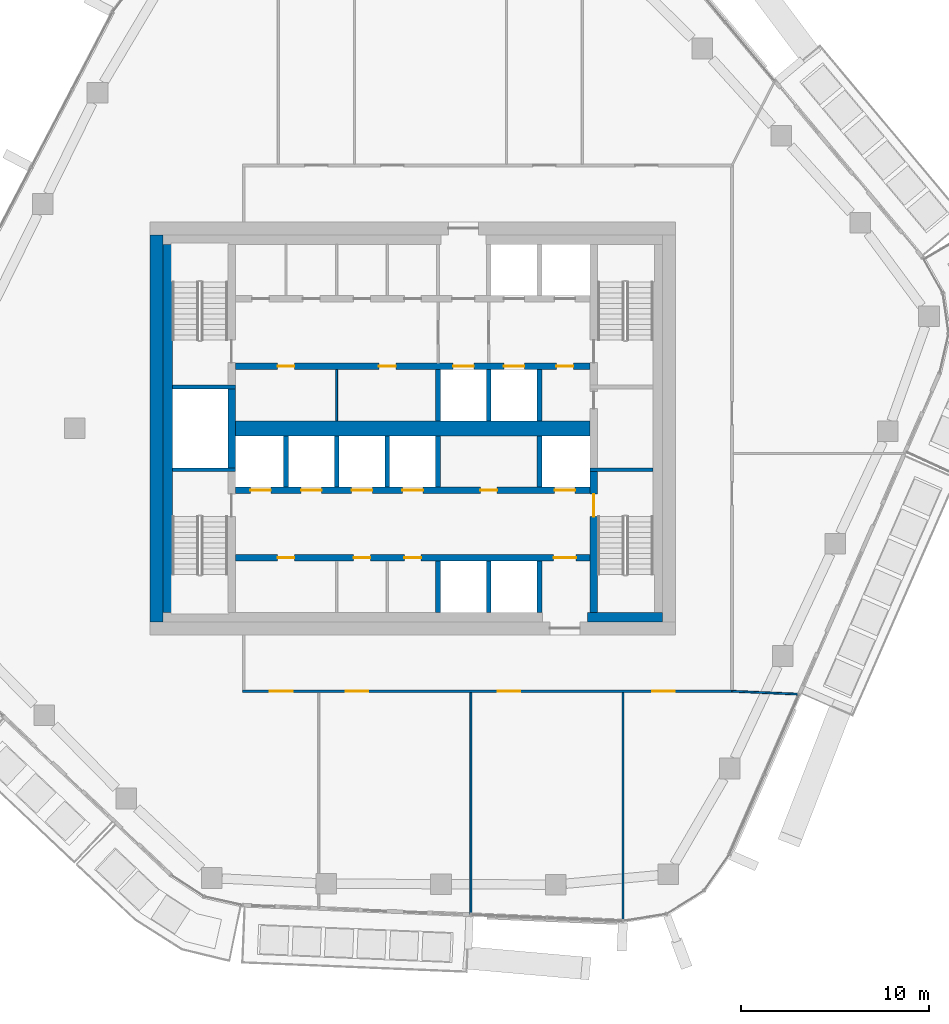
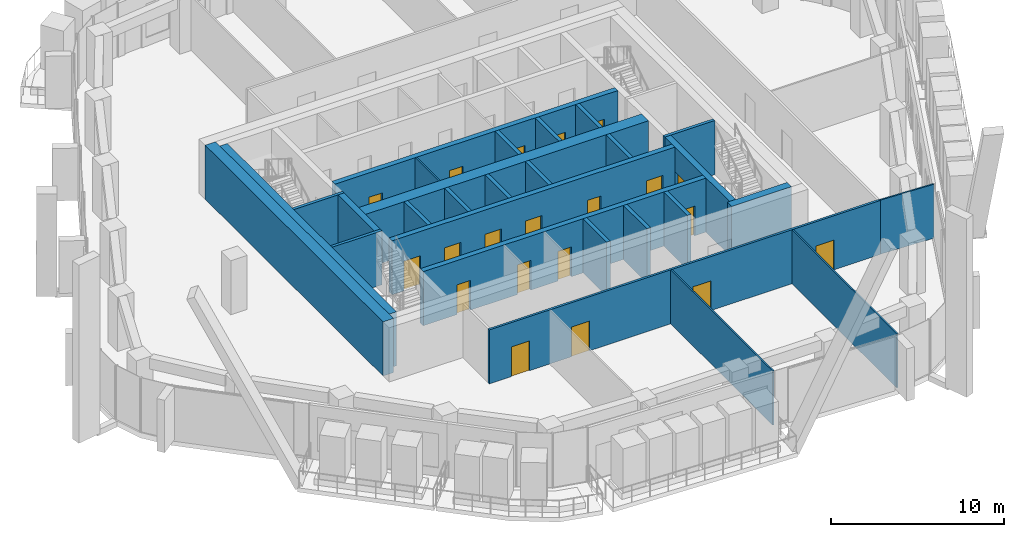
# One storey, part 11 of 20: 28 walls, 20 doors, 20 openings.
"""IFC4 building model written with IfcOpenShell, lengths in metres."""

import ifcopenshell
import ifcopenshell.guid

model = None  # the IFC model being written
_history = None  # IfcOwnerHistory: only IFC2X3 demands one
_inside = {}  # id of a spatial element -> (the spatial element, [elements in it])
_under = {}  # id of a project, library or spatial element -> (it, [spatial elements below it])
_declared = {}  # id of a project -> (the project, [libraries it declares])
_typed = {}  # id of a type object -> (the type object, [elements of that type])
_made_of = {}  # id of a material, layer set ... -> (it, [elements and type objects made of it])


def new_model(schema):
    """Start an empty IFC model of exactly this schema.

    Asked for "IFC4X3", IfcOpenShell would pick the latest addendum, in which some entities
    have other attributes; the version numbers below select the first issue.
    IFC2X3 requires an IfcOwnerHistory on every rooted entity: one is made here for all.
    """
    global model, _history
    if schema == "IFC4X3":
        model = ifcopenshell.file(schema_version=(4, 3, 0, 0))
    else:
        model = ifcopenshell.file(schema=schema)
    _inside.clear()
    _under.clear()
    _declared.clear()
    _typed.clear()
    _made_of.clear()
    _history = None
    if model.schema == "IFC2X3":
        org = make("IfcOrganization", Name="unknown")
        user = make(
            "IfcPersonAndOrganization",
            ThePerson=make("IfcPerson", FamilyName="unknown"),
            TheOrganization=org,
        )
        app = make(
            "IfcApplication",
            ApplicationDeveloper=org,
            Version="unknown",
            ApplicationFullName="unknown",
            ApplicationIdentifier="unknown",
        )
        _history = make(
            "IfcOwnerHistory",
            OwningUser=user,
            OwningApplication=app,
            ChangeAction="ADDED",
            CreationDate=0,
        )
    return model


def make(cls, **values):
    """One entity of the class cls with the attributes given. An attribute that is None is left unset."""
    return model.create_entity(
        cls, **{name: value for name, value in values.items() if value is not None}
    )


def rooted(cls, **values):
    """An entity with a GlobalId (a new one), such as an element, a storey or a relation."""
    return make(cls, GlobalId=ifcopenshell.guid.new(), OwnerHistory=_history, **values)


def si_unit(unit_type, name, prefix=None):
    """IfcSIUnit, for example si_unit("LENGTHUNIT", "METRE", prefix="MILLI")."""
    return make("IfcSIUnit", UnitType=unit_type, Prefix=prefix, Name=name)


def assignment(units):
    """IfcUnitAssignment: the units of a project."""
    return None if units is None else make("IfcUnitAssignment", Units=units)


def point(xyz):
    """IfcCartesianPoint."""
    return None if xyz is None else make("IfcCartesianPoint", Coordinates=xyz)


def direction(xyz):
    """IfcDirection."""
    return None if xyz is None else make("IfcDirection", DirectionRatios=xyz)


def frame(location, z_axis=None, x_axis=None):
    """IfcAxis2Placement3D, a coordinate frame: its origin and axes. An axis left out is left unset."""
    return make(
        "IfcAxis2Placement3D",
        Location=point(location),
        Axis=direction(z_axis),
        RefDirection=direction(x_axis),
    )


def frame_2d(location, x_axis=None):
    """IfcAxis2Placement2D, a coordinate frame in the plane: its origin and x axis."""
    return make(
        "IfcAxis2Placement2D", Location=point(location), RefDirection=direction(x_axis)
    )


def origin():
    """The frame at (0, 0, 0) with its axes left unset."""
    return frame((0.0, 0.0, 0.0))


def place(relative_to, where):
    """IfcLocalPlacement: puts the frame where relative to a parent placement (None: the world)."""
    return make(
        "IfcLocalPlacement", PlacementRelTo=relative_to, RelativePlacement=where
    )


def context(
    kind, dimensions, precision=None, world=None, true_north=None, identifier=None
):
    """IfcGeometricRepresentationContext, for example the 3D "Model" context."""
    return make(
        "IfcGeometricRepresentationContext",
        ContextIdentifier=identifier,
        ContextType=kind,
        CoordinateSpaceDimension=dimensions,
        Precision=precision,
        WorldCoordinateSystem=world,
        TrueNorth=true_north,
    )


def subcontext(parent, identifier, kind, view, scale=None):
    """IfcGeometricRepresentationSubContext, for example "Body" below "Model"."""
    return make(
        "IfcGeometricRepresentationSubContext",
        ContextIdentifier=identifier,
        ContextType=kind,
        ParentContext=parent,
        TargetScale=scale,
        TargetView=view,
    )


def project(units=None, contexts=None):
    """IfcProject with its units and contexts."""
    return rooted(
        "IfcProject",
        Name="project",
        RepresentationContexts=contexts,
        UnitsInContext=assignment(units),
    )


def spatial(cls, under=None, at=None, **own):
    """A site, building, storey or space (cls), placed at a placement, below another one or the project."""
    s = rooted(cls, ObjectPlacement=at, **own)
    if under is not None:
        _under.setdefault(under.id(), (under, []))[1].append(s)
    return s


def profile(cls, at=None, kind="AREA", **sizes):
    """A parametric profile (cls). Its sizes go by their IFC names, for example OverallWidth=200.0."""
    return make(cls, ProfileType=kind, Position=at, **sizes)


def rectangle(**sizes):
    """IfcRectangleProfileDef."""
    return profile("IfcRectangleProfileDef", **sizes)


def extrude(swept, where, along, depth):
    """IfcExtrudedAreaSolid: the profile swept, set in the frame where, extruded along a direction by depth."""
    return make(
        "IfcExtrudedAreaSolid",
        SweptArea=swept,
        Position=where,
        ExtrudedDirection=direction(along),
        Depth=depth,
    )


def shape(context_of_items, identifier, shape_type, items):
    """IfcShapeRepresentation: the items that make up one representation, for example the "Body"."""
    return make(
        "IfcShapeRepresentation",
        ContextOfItems=context_of_items,
        RepresentationIdentifier=identifier,
        RepresentationType=shape_type,
        Items=items,
    )


def material(Name=None, Category=None):
    """IfcMaterial."""
    return make("IfcMaterial", Name=Name, Category=Category)


def layer(
    of_material, thickness, ventilated=None, Name=None, Category=None, Priority=None
):
    """IfcMaterialLayer: one layer of a wall or slab, of a material (None: an air gap)."""
    return make(
        "IfcMaterialLayer",
        Material=of_material,
        LayerThickness=thickness,
        IsVentilated=ventilated,
        Name=Name,
        Category=Category,
        Priority=Priority,
    )


def layer_set(layers, Name=None):
    """IfcMaterialLayerSet."""
    return make("IfcMaterialLayerSet", MaterialLayers=layers, LayerSetName=Name)


def made_of(thing, what):
    """Note that an element or type object is made of a material, layer set ...; save() writes the relation."""
    if what is not None:
        _made_of.setdefault(what.id(), (what, []))[1].append(thing)
    return thing


def type_object(cls, material=None, **own):
    """A type object (cls), such as IfcWallType, which elements share."""
    return made_of(rooted(cls, **own), material)


def element(
    cls,
    number,
    at=None,
    inside=None,
    cuts=None,
    type_object=None,
    material=None,
    context=None,
    identifier="Body",
    shape_type=None,
    held_by="IfcProductDefinitionShape",
    body=None,
    shapes=None,
    **own,
):
    """One element of the class cls, such as IfcWall. Its Tag is "e" and its number.

    at: its placement. inside: the storey or other place that contains it. cuts: it is an
    opening in that element (IfcRelVoidsElement). A single representation is given by context,
    identifier, shape_type and body (its items); several are given by shapes. held_by: the class
    of the entity that holds the representations. save() writes the other relations.
    """
    e = rooted(cls, Tag="e%d" % number, ObjectPlacement=at, **own)
    if body is not None:
        shapes = [shape(context, identifier, shape_type, body)]
    if shapes is not None:
        e.Representation = make(held_by, Representations=shapes)
    if inside is not None:
        _inside.setdefault(inside.id(), (inside, []))[1].append(e)
    if cuts is not None:
        rooted(
            "IfcRelVoidsElement", RelatingBuildingElement=cuts, RelatedOpeningElement=e
        )
    if type_object is not None:
        _typed.setdefault(type_object.id(), (type_object, []))[1].append(e)
    return made_of(e, material)


def fill(opening, filler):
    """IfcRelFillsElement: the door or window that sits in an opening."""
    return rooted(
        "IfcRelFillsElement",
        RelatingOpeningElement=opening,
        RelatedBuildingElement=filler,
    )


def aggregate(whole, parts):
    """IfcRelAggregates: a whole, such as a stair, and the parts it consists of."""
    return rooted("IfcRelAggregates", RelatingObject=whole, RelatedObjects=parts)


def save(model, path):
    """Write the relations noted so far, then the file.

    IfcRelAggregates (storeys below a building ...), IfcRelContainedInSpatialStructure (elements
    in a storey), IfcRelDefinesByType, IfcRelAssociatesMaterial and IfcRelDeclares: one each for
    every whole, place, type object, material and project.
    """
    for whole, parts in _under.values():
        aggregate(whole, parts)
    for where, things in _inside.values():
        rooted(
            "IfcRelContainedInSpatialStructure",
            RelatedElements=things,
            RelatingStructure=where,
        )
    for kind, things in _typed.values():
        rooted("IfcRelDefinesByType", RelatedObjects=things, RelatingType=kind)
    for what, things in _made_of.values():
        rooted("IfcRelAssociatesMaterial", RelatedObjects=things, RelatingMaterial=what)
    for by, libraries in _declared.values():
        rooted("IfcRelDeclares", RelatingContext=by, RelatedDefinitions=libraries)
    model.write(path)


model = new_model("IFC4")

# Units and contexts
model_context = context("Model", 3, precision=1e-05, world=origin(), true_north=direction((0.0, 1.0)))
body_context = subcontext(model_context, "Body", "Model", "MODEL_VIEW")
ifc_project = project(units=[si_unit("LENGTHUNIT", "METRE"), si_unit("AREAUNIT", "SQUARE_METRE"), si_unit("VOLUMEUNIT", "CUBIC_METRE"), si_unit("PLANEANGLEUNIT", "RADIAN"), si_unit("MASSUNIT", "GRAM", prefix="KILO")], contexts=[model_context])

# Site, building, storey
site_placement = place(None, origin())
site = spatial("IfcSite", under=ifc_project, at=site_placement, CompositionType="ELEMENT")
building_placement = place(site_placement, origin())
building = spatial("IfcBuilding", under=site, at=building_placement, Name="Dongbaek Canopy Tower", CompositionType="ELEMENT")
storey_placement = place(building_placement, frame((0.0, 0.0, 241.199951171875)))
storey = spatial("IfcBuildingStorey", under=building, at=storey_placement, Name="L50", CompositionType="ELEMENT", Elevation=241.199951171875)

# Wall
ifc_material_1 = material(Name="Concrete C60/75", Category="concrete")
ifc_layer_1 = layer(ifc_material_1, 0.800048828125)
ifc_layer_set_1 = layer_set([ifc_layer_1], Name="Core central wall 800 Concrete C60/75")
wall_type_1 = type_object("IfcWallType", Name="Core central wall 800 Concrete C60/75", PredefinedType="SHEAR", material=ifc_layer_set_1)
wall_1_placement = place(storey_placement, frame((-9.449951171875, 0.0, 0.0), z_axis=(0.0, 0.0, 1.0), x_axis=(1.0, 0.0, 0.0)))
element("IfcWall", 1, at=wall_1_placement, inside=storey, type_object=wall_type_1, Name="Core wall", PredefinedType="SHEAR", context=body_context, shape_type="SweptSolid", body=[
    extrude(rectangle(XDim=18.89990234375, YDim=0.800048828125, at=frame_2d((9.449951171875, 0.0))), origin(), (0.0, 0.0, 1.0), 3.820068359375),
])

# Wall, openings, doors
ifc_material_2 = material(Name="Concrete C60/75", Category="concrete")
ifc_layer_2 = layer(ifc_material_2, 0.35009765625)
ifc_layer_set_2 = layer_set([ifc_layer_2], Name="Core lobby wall 350 Concrete C60/75")
wall_type_2 = type_object("IfcWallType", Name="Core lobby wall 350 Concrete C60/75", PredefinedType="SHEAR", material=ifc_layer_set_2)
wall_2_placement = place(storey_placement, frame((9.449951171875, 3.300048828125, 0.0), z_axis=(0.0, 0.0, 1.0), x_axis=(-1.0, 0.0, 0.0)))
wall_2 = element("IfcWall", 2, at=wall_2_placement, inside=storey, type_object=wall_type_2, Name="Core wall", PredefinedType="SHEAR", context=body_context, shape_type="SweptSolid", body=[
    extrude(rectangle(XDim=18.89990234375, YDim=0.35009765625, at=frame_2d((9.449951171875, 0.0))), origin(), (0.0, 0.0, 1.0), 3.820068359375),
])
opening_1_placement = place(wall_2_placement, frame((6.199951171875, 0.0, 0.0)))
opening_1 = element("IfcOpeningElement", 3, at=opening_1_placement, cuts=wall_2, Name="Opening L50-D016", PredefinedType="OPENING", context=body_context, shape_type="SweptSolid", body=[
    extrude(rectangle(XDim=1.10009765625, YDim=2.10009765625, at=frame_2d((0.550048828125, 1.050048828125))), frame((0.0, 0.18505859375, 0.0), z_axis=(0.0, -1.0, 0.0), x_axis=(1.0, 0.0, 0.0)), (0.0, 0.0, 1.0), 0.3701171875),
])
opening_2_placement = place(wall_2_placement, frame((3.5, 0.0, 0.0)))
opening_2 = element("IfcOpeningElement", 4, at=opening_2_placement, cuts=wall_2, Name="Opening L50-D017", PredefinedType="OPENING", context=body_context, shape_type="SweptSolid", body=[
    extrude(rectangle(XDim=1.10009765625, YDim=2.10009765625, at=frame_2d((0.550048828125, 1.050048828125))), frame((0.0, 0.18505859375, 0.0), z_axis=(0.0, -1.0, 0.0), x_axis=(1.0, 0.0, 0.0)), (0.0, 0.0, 1.0), 0.3701171875),
])
opening_3_placement = place(wall_2_placement, frame((0.89990234375, 0.0, 0.0)))
opening_3 = element("IfcOpeningElement", 5, at=opening_3_placement, cuts=wall_2, Name="Opening L50-D018", PredefinedType="OPENING", context=body_context, shape_type="SweptSolid", body=[
    extrude(rectangle(XDim=0.89990234375, YDim=2.10009765625, at=frame_2d((0.449951171875, 1.050048828125))), frame((0.0, 0.18505859375, 0.0), z_axis=(0.0, -1.0, 0.0), x_axis=(1.0, 0.0, 0.0)), (0.0, 0.0, 1.0), 0.3701171875),
])
opening_4_placement = place(wall_2_placement, frame((15.75, 0.0, 0.0)))
opening_4 = element("IfcOpeningElement", 6, at=opening_4_placement, cuts=wall_2, Name="Opening L50-D030", PredefinedType="OPENING", context=body_context, shape_type="SweptSolid", body=[
    extrude(rectangle(XDim=0.89990234375, YDim=2.10009765625, at=frame_2d((0.449951171875, 1.050048828125))), frame((0.0, 0.18505859375, 0.0), z_axis=(0.0, -1.0, 0.0), x_axis=(1.0, 0.0, 0.0)), (0.0, 0.0, 1.0), 0.3701171875),
])
opening_5_placement = place(wall_2_placement, frame((10.35009765625, 0.0, 0.0)))
opening_5 = element("IfcOpeningElement", 7, at=opening_5_placement, cuts=wall_2, Name="Opening L50-D031", PredefinedType="OPENING", context=body_context, shape_type="SweptSolid", body=[
    extrude(rectangle(XDim=0.89990234375, YDim=2.10009765625, at=frame_2d((0.449951171875, 1.050048828125))), frame((0.0, 0.18505859375, 0.0), z_axis=(0.0, -1.0, 0.0), x_axis=(1.0, 0.0, 0.0)), (0.0, 0.0, 1.0), 0.3701171875),
])
ifc_material_3 = material(Name="Steel", Category="steel")
door_type_1 = type_object("IfcDoorType", Name="Core room door 900 x 2100", OperationType="SINGLE_SWING_LEFT", PredefinedType="DOOR", material=ifc_material_3)
door_1_placement = place(opening_3_placement, origin())
door_1 = element("IfcDoor", 8, at=door_1_placement, inside=storey, type_object=door_type_1, Name="Door L50-D018", OperationType="SINGLE_SWING_LEFT", OverallHeight=2.10009765625, OverallWidth=0.89990234375, PredefinedType="DOOR", context=body_context, shape_type="SweptSolid", body=[
    extrude(rectangle(XDim=0.89990234375, YDim=2.10009765625, at=frame_2d((0.449951171875, 1.050048828125))), frame((0.0, 0.02490234375, 0.0), z_axis=(0.0, -1.0, 0.0), x_axis=(1.0, 0.0, 0.0)), (0.0, 0.0, 1.0), 0.050048828125),
])
fill(opening_3, door_1)
door_2_placement = place(opening_4_placement, origin())
door_2 = element("IfcDoor", 9, at=door_2_placement, inside=storey, type_object=door_type_1, Name="Door L50-D030", OperationType="SINGLE_SWING_RIGHT", OverallHeight=2.10009765625, OverallWidth=0.89990234375, PredefinedType="DOOR", context=body_context, shape_type="SweptSolid", body=[
    extrude(rectangle(XDim=0.89990234375, YDim=2.10009765625, at=frame_2d((0.449951171875, 1.050048828125))), frame((0.0, 0.02490234375, 0.0), z_axis=(0.0, -1.0, 0.0), x_axis=(1.0, 0.0, 0.0)), (0.0, 0.0, 1.0), 0.050048828125),
])
fill(opening_4, door_2)
door_3_placement = place(opening_5_placement, origin())
door_3 = element("IfcDoor", 10, at=door_3_placement, inside=storey, type_object=door_type_1, Name="Door L50-D031", OperationType="SINGLE_SWING_LEFT", OverallHeight=2.10009765625, OverallWidth=0.89990234375, PredefinedType="DOOR", context=body_context, shape_type="SweptSolid", body=[
    extrude(rectangle(XDim=0.89990234375, YDim=2.10009765625, at=frame_2d((0.449951171875, 1.050048828125))), frame((0.0, 0.02490234375, 0.0), z_axis=(0.0, -1.0, 0.0), x_axis=(1.0, 0.0, 0.0)), (0.0, 0.0, 1.0), 0.050048828125),
])
fill(opening_5, door_3)
ifc_material_4 = material(Name="Stainless steel", Category="steel")
door_type_2 = type_object("IfcDoorType", Name="Lift landing door 1100 x 2100", OperationType="DOUBLE_DOOR_SLIDING", PredefinedType="DOOR", material=ifc_material_4)
door_4_placement = place(opening_1_placement, origin())
door_4 = element("IfcDoor", 11, at=door_4_placement, inside=storey, type_object=door_type_2, Name="Landing door SV1", OperationType="DOUBLE_DOOR_SLIDING", OverallHeight=2.10009765625, OverallWidth=1.10009765625, PredefinedType="DOOR", context=body_context, shape_type="SweptSolid", body=[
    extrude(rectangle(XDim=1.10009765625, YDim=2.10009765625, at=frame_2d((0.550048828125, 1.050048828125))), frame((0.0, 0.02490234375, 0.0), z_axis=(0.0, -1.0, 0.0), x_axis=(1.0, 0.0, 0.0)), (0.0, 0.0, 1.0), 0.050048828125),
])
fill(opening_1, door_4)
door_5_placement = place(opening_2_placement, origin())
door_5 = element("IfcDoor", 12, at=door_5_placement, inside=storey, type_object=door_type_2, Name="Landing door FF3", OperationType="DOUBLE_DOOR_SLIDING", OverallHeight=2.10009765625, OverallWidth=1.10009765625, PredefinedType="DOOR", context=body_context, shape_type="SweptSolid", body=[
    extrude(rectangle(XDim=1.10009765625, YDim=2.10009765625, at=frame_2d((0.550048828125, 1.050048828125))), frame((0.0, 0.02490234375, 0.0), z_axis=(0.0, -1.0, 0.0), x_axis=(1.0, 0.0, 0.0)), (0.0, 0.0, 1.0), 0.050048828125),
])
fill(opening_2, door_5)

wall_3_placement = place(storey_placement, frame((-9.449951171875, -3.300048828125, 0.0), z_axis=(0.0, 0.0, 1.0), x_axis=(1.0, 0.0, 0.0)))
wall_3 = element("IfcWall", 13, at=wall_3_placement, inside=storey, type_object=wall_type_2, Name="Core wall", PredefinedType="SHEAR", context=body_context, shape_type="SweptSolid", body=[
    extrude(rectangle(XDim=18.89990234375, YDim=0.35009765625, at=frame_2d((9.449951171875, 0.0))), origin(), (0.0, 0.0, 1.0), 3.820068359375),
])
opening_6_placement = place(wall_3_placement, frame((0.800048828125, 0.0, 0.0)))
opening_6 = element("IfcOpeningElement", 14, at=opening_6_placement, cuts=wall_3, Name="Opening L50-D019", PredefinedType="OPENING", context=body_context, shape_type="SweptSolid", body=[
    extrude(rectangle(XDim=1.10009765625, YDim=2.10009765625, at=frame_2d((0.550048828125, 1.050048828125))), frame((0.0, 0.18505859375, 0.0), z_axis=(0.0, -1.0, 0.0), x_axis=(1.0, 0.0, 0.0)), (0.0, 0.0, 1.0), 0.3701171875),
])
opening_7_placement = place(wall_3_placement, frame((3.5, 0.0, 0.0)))
opening_7 = element("IfcOpeningElement", 15, at=opening_7_placement, cuts=wall_3, Name="Opening L50-D020", PredefinedType="OPENING", context=body_context, shape_type="SweptSolid", body=[
    extrude(rectangle(XDim=1.10009765625, YDim=2.10009765625, at=frame_2d((0.550048828125, 1.050048828125))), frame((0.0, 0.18505859375, 0.0), z_axis=(0.0, -1.0, 0.0), x_axis=(1.0, 0.0, 0.0)), (0.0, 0.0, 1.0), 0.3701171875),
])
opening_8_placement = place(wall_3_placement, frame((6.199951171875, 0.0, 0.0)))
opening_8 = element("IfcOpeningElement", 16, at=opening_8_placement, cuts=wall_3, Name="Opening L50-D021", PredefinedType="OPENING", context=body_context, shape_type="SweptSolid", body=[
    extrude(rectangle(XDim=1.10009765625, YDim=2.10009765625, at=frame_2d((0.550048828125, 1.050048828125))), frame((0.0, 0.18505859375, 0.0), z_axis=(0.0, -1.0, 0.0), x_axis=(1.0, 0.0, 0.0)), (0.0, 0.0, 1.0), 0.3701171875),
])
opening_9_placement = place(wall_3_placement, frame((8.89990234375, 0.0, 0.0)))
opening_9 = element("IfcOpeningElement", 17, at=opening_9_placement, cuts=wall_3, Name="Opening L50-D022", PredefinedType="OPENING", context=body_context, shape_type="SweptSolid", body=[
    extrude(rectangle(XDim=1.10009765625, YDim=2.10009765625, at=frame_2d((0.550048828125, 1.050048828125))), frame((0.0, 0.18505859375, 0.0), z_axis=(0.0, -1.0, 0.0), x_axis=(1.0, 0.0, 0.0)), (0.0, 0.0, 1.0), 0.3701171875),
])
opening_10_placement = place(wall_3_placement, frame((17.0, 0.0, 0.0)))
opening_10 = element("IfcOpeningElement", 18, at=opening_10_placement, cuts=wall_3, Name="Opening L50-D023", PredefinedType="OPENING", context=body_context, shape_type="SweptSolid", body=[
    extrude(rectangle(XDim=1.10009765625, YDim=2.10009765625, at=frame_2d((0.550048828125, 1.050048828125))), frame((0.0, 0.18505859375, 0.0), z_axis=(0.0, -1.0, 0.0), x_axis=(1.0, 0.0, 0.0)), (0.0, 0.0, 1.0), 0.3701171875),
])
opening_11_placement = place(wall_3_placement, frame((13.050048828125, 0.0, 0.0)))
opening_11 = element("IfcOpeningElement", 19, at=opening_11_placement, cuts=wall_3, Name="Opening L50-D032", PredefinedType="OPENING", context=body_context, shape_type="SweptSolid", body=[
    extrude(rectangle(XDim=0.89990234375, YDim=2.10009765625, at=frame_2d((0.449951171875, 1.050048828125))), frame((0.0, 0.18505859375, 0.0), z_axis=(0.0, -1.0, 0.0), x_axis=(1.0, 0.0, 0.0)), (0.0, 0.0, 1.0), 0.3701171875),
])
door_6_placement = place(opening_11_placement, origin())
door_6 = element("IfcDoor", 20, at=door_6_placement, inside=storey, type_object=door_type_1, Name="Door L50-D032", OperationType="SINGLE_SWING_RIGHT", OverallHeight=2.10009765625, OverallWidth=0.89990234375, PredefinedType="DOOR", context=body_context, shape_type="SweptSolid", body=[
    extrude(rectangle(XDim=0.89990234375, YDim=2.10009765625, at=frame_2d((0.449951171875, 1.050048828125))), frame((0.0, 0.02490234375, 0.0), z_axis=(0.0, -1.0, 0.0), x_axis=(1.0, 0.0, 0.0)), (0.0, 0.0, 1.0), 0.050048828125),
])
fill(opening_11, door_6)
door_7_placement = place(opening_6_placement, origin())
door_7 = element("IfcDoor", 21, at=door_7_placement, inside=storey, type_object=door_type_2, Name="Landing door MR1", OperationType="DOUBLE_DOOR_SLIDING", OverallHeight=2.10009765625, OverallWidth=1.10009765625, PredefinedType="DOOR", context=body_context, shape_type="SweptSolid", body=[
    extrude(rectangle(XDim=1.10009765625, YDim=2.10009765625, at=frame_2d((0.550048828125, 1.050048828125))), frame((0.0, 0.02490234375, 0.0), z_axis=(0.0, -1.0, 0.0), x_axis=(1.0, 0.0, 0.0)), (0.0, 0.0, 1.0), 0.050048828125),
])
fill(opening_6, door_7)
door_8_placement = place(opening_7_placement, origin())
door_8 = element("IfcDoor", 22, at=door_8_placement, inside=storey, type_object=door_type_2, Name="Landing door MR2", OperationType="DOUBLE_DOOR_SLIDING", OverallHeight=2.10009765625, OverallWidth=1.10009765625, PredefinedType="DOOR", context=body_context, shape_type="SweptSolid", body=[
    extrude(rectangle(XDim=1.10009765625, YDim=2.10009765625, at=frame_2d((0.550048828125, 1.050048828125))), frame((0.0, 0.02490234375, 0.0), z_axis=(0.0, -1.0, 0.0), x_axis=(1.0, 0.0, 0.0)), (0.0, 0.0, 1.0), 0.050048828125),
])
fill(opening_7, door_8)
door_9_placement = place(opening_8_placement, origin())
door_9 = element("IfcDoor", 23, at=door_9_placement, inside=storey, type_object=door_type_2, Name="Landing door MR3", OperationType="DOUBLE_DOOR_SLIDING", OverallHeight=2.10009765625, OverallWidth=1.10009765625, PredefinedType="DOOR", context=body_context, shape_type="SweptSolid", body=[
    extrude(rectangle(XDim=1.10009765625, YDim=2.10009765625, at=frame_2d((0.550048828125, 1.050048828125))), frame((0.0, 0.02490234375, 0.0), z_axis=(0.0, -1.0, 0.0), x_axis=(1.0, 0.0, 0.0)), (0.0, 0.0, 1.0), 0.050048828125),
])
fill(opening_8, door_9)
door_10_placement = place(opening_9_placement, origin())
door_10 = element("IfcDoor", 24, at=door_10_placement, inside=storey, type_object=door_type_2, Name="Landing door MR4", OperationType="DOUBLE_DOOR_SLIDING", OverallHeight=2.10009765625, OverallWidth=1.10009765625, PredefinedType="DOOR", context=body_context, shape_type="SweptSolid", body=[
    extrude(rectangle(XDim=1.10009765625, YDim=2.10009765625, at=frame_2d((0.550048828125, 1.050048828125))), frame((0.0, 0.02490234375, 0.0), z_axis=(0.0, -1.0, 0.0), x_axis=(1.0, 0.0, 0.0)), (0.0, 0.0, 1.0), 0.050048828125),
])
fill(opening_9, door_10)
door_11_placement = place(opening_10_placement, origin())
door_11 = element("IfcDoor", 25, at=door_11_placement, inside=storey, type_object=door_type_2, Name="Landing door SV2", OperationType="DOUBLE_DOOR_SLIDING", OverallHeight=2.10009765625, OverallWidth=1.10009765625, PredefinedType="DOOR", context=body_context, shape_type="SweptSolid", body=[
    extrude(rectangle(XDim=1.10009765625, YDim=2.10009765625, at=frame_2d((0.550048828125, 1.050048828125))), frame((0.0, 0.02490234375, 0.0), z_axis=(0.0, -1.0, 0.0), x_axis=(1.0, 0.0, 0.0)), (0.0, 0.0, 1.0), 0.050048828125),
])
fill(opening_10, door_11)

wall_4_placement = place(storey_placement, frame((9.449951171875, -6.89990234375, 0.0), z_axis=(0.0, 0.0, 1.0), x_axis=(-1.0, 0.0, 0.0)))
wall_4 = element("IfcWall", 26, at=wall_4_placement, inside=storey, type_object=wall_type_2, Name="Core wall", PredefinedType="SHEAR", context=body_context, shape_type="SweptSolid", body=[
    extrude(rectangle(XDim=18.89990234375, YDim=0.35009765625, at=frame_2d((9.449951171875, 0.0))), origin(), (0.0, 0.0, 1.0), 3.820068359375),
])
opening_12_placement = place(wall_4_placement, frame((0.75, 0.0, 0.0)))
opening_12 = element("IfcOpeningElement", 27, at=opening_12_placement, cuts=wall_4, Name="Opening L50-D025", PredefinedType="OPENING", context=body_context, shape_type="SweptSolid", body=[
    extrude(rectangle(XDim=1.199951171875, YDim=2.10009765625, at=frame_2d((0.60009765625, 1.050048828125))), frame((0.0, 0.18505859375, 0.0), z_axis=(0.0, -1.0, 0.0), x_axis=(1.0, 0.0, 0.0)), (0.0, 0.0, 1.0), 0.3701171875),
])
opening_13_placement = place(wall_4_placement, frame((15.75, 0.0, 0.0)))
opening_13 = element("IfcOpeningElement", 28, at=opening_13_placement, cuts=wall_4, Name="Opening L50-D033", PredefinedType="OPENING", context=body_context, shape_type="SweptSolid", body=[
    extrude(rectangle(XDim=0.89990234375, YDim=2.10009765625, at=frame_2d((0.449951171875, 1.050048828125))), frame((0.0, 0.18505859375, 0.0), z_axis=(0.0, -1.0, 0.0), x_axis=(1.0, 0.0, 0.0)), (0.0, 0.0, 1.0), 0.3701171875),
])
opening_14_placement = place(wall_4_placement, frame((11.699951171875, 0.0, 0.0)))
opening_14 = element("IfcOpeningElement", 29, at=opening_14_placement, cuts=wall_4, Name="Opening L50-D034", PredefinedType="OPENING", context=body_context, shape_type="SweptSolid", body=[
    extrude(rectangle(XDim=0.89990234375, YDim=2.10009765625, at=frame_2d((0.449951171875, 1.050048828125))), frame((0.0, 0.18505859375, 0.0), z_axis=(0.0, -1.0, 0.0), x_axis=(1.0, 0.0, 0.0)), (0.0, 0.0, 1.0), 0.3701171875),
])
opening_15_placement = place(wall_4_placement, frame((9.0, 0.0, 0.0)))
opening_15 = element("IfcOpeningElement", 30, at=opening_15_placement, cuts=wall_4, Name="Opening L50-D035", PredefinedType="OPENING", context=body_context, shape_type="SweptSolid", body=[
    extrude(rectangle(XDim=0.89990234375, YDim=2.10009765625, at=frame_2d((0.449951171875, 1.050048828125))), frame((0.0, 0.18505859375, 0.0), z_axis=(0.0, -1.0, 0.0), x_axis=(1.0, 0.0, 0.0)), (0.0, 0.0, 1.0), 0.3701171875),
])
door_12_placement = place(opening_13_placement, origin())
door_12 = element("IfcDoor", 31, at=door_12_placement, inside=storey, type_object=door_type_1, Name="Door L50-D033", OperationType="SINGLE_SWING_LEFT", OverallHeight=2.10009765625, OverallWidth=0.89990234375, PredefinedType="DOOR", context=body_context, shape_type="SweptSolid", body=[
    extrude(rectangle(XDim=0.89990234375, YDim=2.10009765625, at=frame_2d((0.449951171875, 1.050048828125))), frame((0.0, 0.02490234375, 0.0), z_axis=(0.0, -1.0, 0.0), x_axis=(1.0, 0.0, 0.0)), (0.0, 0.0, 1.0), 0.050048828125),
])
fill(opening_13, door_12)
door_13_placement = place(opening_14_placement, origin())
door_13 = element("IfcDoor", 32, at=door_13_placement, inside=storey, type_object=door_type_1, Name="Door L50-D034", OperationType="SINGLE_SWING_RIGHT", OverallHeight=2.10009765625, OverallWidth=0.89990234375, PredefinedType="DOOR", context=body_context, shape_type="SweptSolid", body=[
    extrude(rectangle(XDim=0.89990234375, YDim=2.10009765625, at=frame_2d((0.449951171875, 1.050048828125))), frame((0.0, 0.02490234375, 0.0), z_axis=(0.0, -1.0, 0.0), x_axis=(1.0, 0.0, 0.0)), (0.0, 0.0, 1.0), 0.050048828125),
])
fill(opening_14, door_13)
door_14_placement = place(opening_15_placement, origin())
door_14 = element("IfcDoor", 33, at=door_14_placement, inside=storey, type_object=door_type_1, Name="Door L50-D035", OperationType="SINGLE_SWING_LEFT", OverallHeight=2.10009765625, OverallWidth=0.89990234375, PredefinedType="DOOR", context=body_context, shape_type="SweptSolid", body=[
    extrude(rectangle(XDim=0.89990234375, YDim=2.10009765625, at=frame_2d((0.449951171875, 1.050048828125))), frame((0.0, 0.02490234375, 0.0), z_axis=(0.0, -1.0, 0.0), x_axis=(1.0, 0.0, 0.0)), (0.0, 0.0, 1.0), 0.050048828125),
])
fill(opening_15, door_14)
ifc_material_5 = material(Name="Steel", Category="steel")
door_type_3 = type_object("IfcDoorType", Name="Fire lobby door 1200 x 2100", OperationType="SINGLE_SWING_LEFT", PredefinedType="DOOR", material=ifc_material_5)
door_15_placement = place(opening_12_placement, origin())
door_15 = element("IfcDoor", 34, at=door_15_placement, inside=storey, type_object=door_type_3, Name="Door L50-D025", OperationType="SINGLE_SWING_LEFT", OverallHeight=2.10009765625, OverallWidth=1.199951171875, PredefinedType="DOOR", context=body_context, shape_type="SweptSolid", body=[
    extrude(rectangle(XDim=1.199951171875, YDim=2.10009765625, at=frame_2d((0.60009765625, 1.050048828125))), frame((0.0, 0.02490234375, 0.0), z_axis=(0.0, -1.0, 0.0), x_axis=(1.0, 0.0, 0.0)), (0.0, 0.0, 1.0), 0.050048828125),
])
fill(opening_12, door_15)

# Walls
ifc_material_6 = material(Name="Concrete C70/85", Category="concrete")
ifc_layer_3 = layer(ifc_material_6, 0.699951171875)
ifc_layer_set_3 = layer_set([ifc_layer_3], Name="Core outer wall 700 Concrete C70/85")
wall_type_3 = type_object("IfcWallType", Name="Core outer wall 700 Concrete C70/85", PredefinedType="SHEAR", material=ifc_layer_set_3)
wall_5_placement = place(storey_placement, frame((-13.64990234375, -10.300048828125, 0.0), z_axis=(0.0, 0.0, 1.0), x_axis=(0.0, 1.0, 0.0)))
element("IfcWall", 35, at=wall_5_placement, inside=storey, type_object=wall_type_3, Name="Core wall", PredefinedType="SHEAR", context=body_context, shape_type="SweptSolid", body=[
    extrude(rectangle(XDim=20.60009765625, YDim=0.699951171875, at=frame_2d((10.300048828125, 0.0))), origin(), (0.0, 0.0, 1.0), 3.820068359375),
])
ifc_material_7 = material(Name="Concrete C60/75", Category="concrete")
ifc_layer_4 = layer(ifc_material_7, 0.5)
ifc_layer_set_4 = layer_set([ifc_layer_4], Name="Core wall lining 500 Concrete C60/75")
wall_type_4 = type_object("IfcWallType", Name="Core wall lining 500 Concrete C60/75", PredefinedType="SHEAR", material=ifc_layer_set_4)
wall_6_placement = place(storey_placement, frame((13.300048828125, -10.050048828125, 0.0), z_axis=(0.0, 0.0, 1.0), x_axis=(-1.0, 0.0, 0.0)))
element("IfcWall", 36, at=wall_6_placement, inside=storey, type_object=wall_type_4, Name="Core wall lining", PredefinedType="SHEAR", context=body_context, shape_type="SweptSolid", body=[
    extrude(rectangle(XDim=4.0, YDim=0.5, at=frame_2d((2.0, 0.0))), origin(), (0.0, 0.0, 1.0), 3.820068359375),
])
wall_7_placement = place(storey_placement, frame((-13.050048828125, -9.800048828125, 0.0), z_axis=(0.0, 0.0, 1.0), x_axis=(0.0, 1.0, 0.0)))
element("IfcWall", 37, at=wall_7_placement, inside=storey, type_object=wall_type_4, Name="Core wall lining", PredefinedType="SHEAR", context=body_context, shape_type="SweptSolid", body=[
    extrude(rectangle(XDim=19.60009765625, YDim=0.5, at=frame_2d((9.800048828125, 0.0))), origin(), (0.0, 0.0, 1.0), 3.820068359375),
])

# Wall, openings, doors
ifc_material_8 = material(Name="Gypsum board partition, steel stud, 2 x 15 mm fire board", Category="steel")
ifc_layer_5 = layer(ifc_material_8, 0.14990234375)
ifc_layer_set_5 = layer_set([ifc_layer_5], Name="Fire-rated partition 150 gypsum board")
wall_type_5 = type_object("IfcWallType", Name="Fire-rated partition 150 gypsum board", PredefinedType="PARTITIONING", material=ifc_layer_set_5)
wall_8_placement = place(storey_placement, frame((17.074951171875, -14.0, 0.0), z_axis=(0.0, 0.0, 1.0), x_axis=(-1.0, 0.0, 0.0)))
wall_8 = element("IfcWall", 38, at=wall_8_placement, inside=storey, type_object=wall_type_5, Name="Corridor partition", PredefinedType="PARTITIONING", context=body_context, shape_type="SweptSolid", body=[
    extrude(rectangle(XDim=26.14990234375, YDim=0.14990234375, at=frame_2d((13.074951171875, 0.0))), origin(), (0.0, 0.0, 1.0), 3.820068359375),
])
opening_16_placement = place(wall_8_placement, frame((23.476318359375, 0.0, 0.0)))
opening_16 = element("IfcOpeningElement", 39, at=opening_16_placement, cuts=wall_8, Name="Opening L50-D001", PredefinedType="OPENING", context=body_context, shape_type="SweptSolid", body=[
    extrude(rectangle(XDim=1.199951171875, YDim=2.10009765625, at=frame_2d((0.60009765625, 1.050048828125))), frame((0.0, 0.0849609375, 0.0), z_axis=(0.0, -1.0, 0.0), x_axis=(1.0, 0.0, 0.0)), (0.0, 0.0, 1.0), 0.169921875),
])
opening_17_placement = place(wall_8_placement, frame((19.452392578125, 0.0, 0.0)))
opening_17 = element("IfcOpeningElement", 40, at=opening_17_placement, cuts=wall_8, Name="Opening L50-D002", PredefinedType="OPENING", context=body_context, shape_type="SweptSolid", body=[
    extrude(rectangle(XDim=1.199951171875, YDim=2.10009765625, at=frame_2d((0.60009765625, 1.050048828125))), frame((0.0, 0.0849609375, 0.0), z_axis=(0.0, -1.0, 0.0), x_axis=(1.0, 0.0, 0.0)), (0.0, 0.0, 1.0), 0.169921875),
])
opening_18_placement = place(wall_8_placement, frame((11.3505859375, 0.0, 0.0)))
opening_18 = element("IfcOpeningElement", 41, at=opening_18_placement, cuts=wall_8, Name="Opening L50-D003", PredefinedType="OPENING", context=body_context, shape_type="SweptSolid", body=[
    extrude(rectangle(XDim=1.199951171875, YDim=2.10009765625, at=frame_2d((0.60009765625, 1.050048828125))), frame((0.0, 0.0849609375, 0.0), z_axis=(0.0, -1.0, 0.0), x_axis=(1.0, 0.0, 0.0)), (0.0, 0.0, 1.0), 0.169921875),
])
opening_19_placement = place(wall_8_placement, frame((3.12451171875, 0.0, 0.0)))
opening_19 = element("IfcOpeningElement", 42, at=opening_19_placement, cuts=wall_8, Name="Opening L50-D004", PredefinedType="OPENING", context=body_context, shape_type="SweptSolid", body=[
    extrude(rectangle(XDim=1.199951171875, YDim=2.10009765625, at=frame_2d((0.60009765625, 1.050048828125))), frame((0.0, 0.0849609375, 0.0), z_axis=(0.0, -1.0, 0.0), x_axis=(1.0, 0.0, 0.0)), (0.0, 0.0, 1.0), 0.169921875),
])
ifc_material_9 = material(Name="Timber veneered door leaf", Category="wood")
door_type_4 = type_object("IfcDoorType", Name="Room door 1200 x 2100", OperationType="SINGLE_SWING_LEFT", PredefinedType="DOOR", material=ifc_material_9)
door_16_placement = place(opening_16_placement, origin())
door_16 = element("IfcDoor", 43, at=door_16_placement, inside=storey, type_object=door_type_4, Name="Door L50-D001", OperationType="SINGLE_SWING_RIGHT", OverallHeight=2.10009765625, OverallWidth=1.199951171875, PredefinedType="DOOR", context=body_context, shape_type="SweptSolid", body=[
    extrude(rectangle(XDim=1.199951171875, YDim=2.10009765625, at=frame_2d((0.60009765625, 1.050048828125))), frame((0.0, 0.02490234375, 0.0), z_axis=(0.0, -1.0, 0.0), x_axis=(1.0, 0.0, 0.0)), (0.0, 0.0, 1.0), 0.050048828125),
])
fill(opening_16, door_16)
door_17_placement = place(opening_17_placement, origin())
door_17 = element("IfcDoor", 44, at=door_17_placement, inside=storey, type_object=door_type_4, Name="Door L50-D002", OperationType="SINGLE_SWING_LEFT", OverallHeight=2.10009765625, OverallWidth=1.199951171875, PredefinedType="DOOR", context=body_context, shape_type="SweptSolid", body=[
    extrude(rectangle(XDim=1.199951171875, YDim=2.10009765625, at=frame_2d((0.60009765625, 1.050048828125))), frame((0.0, 0.02490234375, 0.0), z_axis=(0.0, -1.0, 0.0), x_axis=(1.0, 0.0, 0.0)), (0.0, 0.0, 1.0), 0.050048828125),
])
fill(opening_17, door_17)
door_18_placement = place(opening_18_placement, origin())
door_18 = element("IfcDoor", 45, at=door_18_placement, inside=storey, type_object=door_type_4, Name="Door L50-D003", OperationType="SINGLE_SWING_RIGHT", OverallHeight=2.10009765625, OverallWidth=1.199951171875, PredefinedType="DOOR", context=body_context, shape_type="SweptSolid", body=[
    extrude(rectangle(XDim=1.199951171875, YDim=2.10009765625, at=frame_2d((0.60009765625, 1.050048828125))), frame((0.0, 0.02490234375, 0.0), z_axis=(0.0, -1.0, 0.0), x_axis=(1.0, 0.0, 0.0)), (0.0, 0.0, 1.0), 0.050048828125),
])
fill(opening_18, door_18)
door_19_placement = place(opening_19_placement, origin())
door_19 = element("IfcDoor", 46, at=door_19_placement, inside=storey, type_object=door_type_4, Name="Door L50-D004", OperationType="SINGLE_SWING_LEFT", OverallHeight=2.10009765625, OverallWidth=1.199951171875, PredefinedType="DOOR", context=body_context, shape_type="SweptSolid", body=[
    extrude(rectangle(XDim=1.199951171875, YDim=2.10009765625, at=frame_2d((0.60009765625, 1.050048828125))), frame((0.0, 0.02490234375, 0.0), z_axis=(0.0, -1.0, 0.0), x_axis=(1.0, 0.0, 0.0)), (0.0, 0.0, 1.0), 0.050048828125),
])
fill(opening_19, door_19)

# Walls
ifc_material_10 = material(Name="Concrete C40/50", Category="concrete")
ifc_layer_6 = layer(ifc_material_10, 0.25)
ifc_layer_set_6 = layer_set([ifc_layer_6], Name="Lift shaft wall 250 Concrete C40/50")
wall_type_6 = type_object("IfcWallType", Name="Lift shaft wall 250 Concrete C40/50", PredefinedType="SOLIDWALL", material=ifc_layer_set_6)
for number, where, z_axis, x_axis, name in (
    (47, (6.75, -9.800048828125, 0.0), (0.0, 0.0, 1.0), (0.0, 1.0, 0.0), "Lift shaft wall"),
    (48, (6.75, -3.125, 0.0), (0.0, 0.0, 1.0), (0.0, 1.0, 0.0), "Lift shaft wall"),
    (49, (6.75, 0.39990234375, 0.0), (0.0, 0.0, 1.0), (0.0, 1.0, 0.0), "Lift shaft wall"),
    (50, (4.050048828125, -9.800048828125, 0.0), (0.0, 0.0, 1.0), (0.0, 1.0, 0.0), "Lift shaft wall"),
    (51, (4.050048828125, 0.39990234375, 0.0), (0.0, 0.0, 1.0), (0.0, 1.0, 0.0), "Lift shaft wall"),
    (52, (1.35009765625, -9.800048828125, 0.0), (0.0, 0.0, 1.0), (0.0, 1.0, 0.0), "Lift shaft wall"),
    (53, (1.35009765625, -3.125, 0.0), (0.0, 0.0, 1.0), (0.0, 1.0, 0.0), "Lift shaft wall"),
    (54, (1.35009765625, 0.39990234375, 0.0), (0.0, 0.0, 1.0), (0.0, 1.0, 0.0), "Lift shaft wall"),
    (55, (-1.35009765625, -3.125, 0.0), (0.0, 0.0, 1.0), (0.0, 1.0, 0.0), "Lift shaft wall"),
    (56, (-4.050048828125, -3.125, 0.0), (0.0, 0.0, 1.0), (0.0, 1.0, 0.0), "Lift shaft wall"),
    (57, (-6.75, -3.125, 0.0), (0.0, 0.0, 1.0), (0.0, 1.0, 0.0), "Lift shaft wall"),
):
    element("IfcWall", number, at=place(storey_placement, frame(where, z_axis=z_axis, x_axis=x_axis)), inside=storey, type_object=wall_type_6, Name=name, PredefinedType="SOLIDWALL", context=body_context, shape_type="SweptSolid", body=[
        extrude(rectangle(XDim=2.72509765625, YDim=0.25, at=frame_2d((1.362548828125, 0.0))), origin(), (0.0, 0.0, 1.0), 3.820068359375),
    ])
ifc_material_11 = material(Name="Gypsum board partition, steel stud, 2 x 12.5 mm board", Category="steel")
ifc_layer_7 = layer(ifc_material_11, 0.10009765625)
ifc_layer_set_7 = layer_set([ifc_layer_7], Name="Partition 100 gypsum board")
wall_type_7 = type_object("IfcWallType", Name="Partition 100 gypsum board", PredefinedType="PARTITIONING", material=ifc_layer_set_7)
wall_9_placement = place(storey_placement, frame((11.194091796875, -26.215087890625, 0.0), z_axis=(0.0, 0.0, 1.0), x_axis=(0.0, 1.0, 0.0)))
element("IfcWall", 58, at=wall_9_placement, inside=storey, type_object=wall_type_7, Name="Partition", PredefinedType="PARTITIONING", context=body_context, shape_type="SweptSolid", body=[
    extrude(rectangle(XDim=12.14013671875, YDim=0.10009765625, at=frame_2d((6.070068359375, 0.0))), origin(), (0.0, 0.0, 1.0), 3.820068359375),
])
wall_10_placement = place(storey_placement, frame((3.097900390625, -25.879150390625, 0.0), z_axis=(0.0, 0.0, 1.0), x_axis=(0.0, 1.0, 0.0)))
element("IfcWall", 59, at=wall_10_placement, inside=storey, type_object=wall_type_7, Name="Partition", PredefinedType="PARTITIONING", context=body_context, shape_type="SweptSolid", body=[
    extrude(rectangle(XDim=11.80419921875, YDim=0.10009765625, at=frame_2d((5.902099609375, 0.0))), origin(), (0.0, 0.0, 1.0), 3.820068359375),
])
wall_11_placement = place(storey_placement, frame((17.0, -14.0, 0.0), z_axis=(0.0, 0.0, 1.0), x_axis=(0.99903279054, -0.043971393272, 0.0)))
element("IfcWall", 60, at=wall_11_placement, inside=storey, type_object=wall_type_7, Name="Partition", PredefinedType="PARTITIONING", context=body_context, shape_type="SweptSolid", body=[
    extrude(rectangle(XDim=3.570068359375, YDim=0.10009765625, at=frame_2d((1.78515625, 0.0))), origin(), (0.0, 0.0, 1.0), 3.820068359375),
])
wall_12_placement = place(storey_placement, frame((-4.050048828125, 0.39990234375, 0.0), z_axis=(0.0, 0.0, 1.0), x_axis=(0.0, 1.0, 0.0)))
element("IfcWall", 61, at=wall_12_placement, inside=storey, type_object=wall_type_7, Name="Core partition", PredefinedType="PARTITIONING", context=body_context, shape_type="SweptSolid", body=[
    extrude(rectangle(XDim=2.72509765625, YDim=0.10009765625, at=frame_2d((1.362548828125, 0.0))), origin(), (0.0, 0.0, 1.0), 3.820068359375),
])
ifc_material_12 = material(Name="Concrete C60/75", Category="concrete")
ifc_layer_8 = layer(ifc_material_12, 0.199951171875)
ifc_layer_set_8 = layer_set([ifc_layer_8], Name="Riser wall 200 Concrete C60/75")
wall_type_8 = type_object("IfcWallType", Name="Riser wall 200 Concrete C60/75", PredefinedType="SHEAR", material=ifc_layer_set_8)
for number, where, z_axis, x_axis, name in (
    (62, (-9.449951171875, 2.199951171875, 0.0), (0.0, 0.0, 1.0), (-1.0, 0.0, 0.0), "Riser wall"),
    (63, (9.449951171875, -2.199951171875, 0.0), (0.0, 0.0, 1.0), (1.0, 0.0, 0.0), "Riser wall"),
    (64, (-9.449951171875, -2.199951171875, 0.0), (0.0, 0.0, 1.0), (-1.0, 0.0, 0.0), "Riser wall"),
):
    element("IfcWall", number, at=place(storey_placement, frame(where, z_axis=z_axis, x_axis=x_axis)), inside=storey, type_object=wall_type_8, Name=name, PredefinedType="SHEAR", context=body_context, shape_type="SweptSolid", body=[
        extrude(rectangle(XDim=3.35009765625, YDim=0.199951171875, at=frame_2d((1.675048828125, 0.0))), origin(), (0.0, 0.0, 1.0), 3.820068359375),
    ])

# Wall, opening, door
ifc_material_13 = material(Name="Concrete C60/75", Category="concrete")
ifc_layer_9 = layer(ifc_material_13, 0.39990234375)
ifc_layer_set_9 = layer_set([ifc_layer_9], Name="Stair wall 400 Concrete C60/75")
wall_type_9 = type_object("IfcWallType", Name="Stair wall 400 Concrete C60/75", PredefinedType="SHEAR", material=ifc_layer_set_9)
wall_13_placement = place(storey_placement, frame((9.64990234375, -2.300048828125, 0.0), z_axis=(0.0, 0.0, 1.0), x_axis=(0.0, -1.0, 0.0)))
wall_13 = element("IfcWall", 65, at=wall_13_placement, inside=storey, type_object=wall_type_9, Name="Stair wall", PredefinedType="SHEAR", context=body_context, shape_type="SweptSolid", body=[
    extrude(rectangle(XDim=7.5, YDim=0.39990234375, at=frame_2d((3.75, 0.0))), origin(), (0.0, 0.0, 1.0), 3.820068359375),
])
opening_20_placement = place(wall_13_placement, frame((1.199951171875, 0.0, 0.0)))
opening_20 = element("IfcOpeningElement", 66, at=opening_20_placement, cuts=wall_13, Name="Opening L50-D038", PredefinedType="OPENING", context=body_context, shape_type="SweptSolid", body=[
    extrude(rectangle(XDim=1.199951171875, YDim=2.10009765625, at=frame_2d((0.60009765625, 1.050048828125))), frame((0.0, 0.2099609375, 0.0), z_axis=(0.0, -1.0, 0.0), x_axis=(1.0, 0.0, 0.0)), (0.0, 0.0, 1.0), 0.419921875),
])
ifc_material_14 = material(Name="Steel", Category="steel")
door_type_5 = type_object("IfcDoorType", Name="Stair door 1200 x 2100", OperationType="SINGLE_SWING_LEFT", PredefinedType="DOOR", material=ifc_material_14)
door_20_placement = place(opening_20_placement, origin())
door_20 = element("IfcDoor", 67, at=door_20_placement, inside=storey, type_object=door_type_5, Name="Stair B door", OperationType="SINGLE_SWING_RIGHT", OverallHeight=2.10009765625, OverallWidth=1.199951171875, PredefinedType="DOOR", context=body_context, shape_type="SweptSolid", body=[
    extrude(rectangle(XDim=1.199951171875, YDim=2.10009765625, at=frame_2d((0.60009765625, 1.050048828125))), frame((0.0, 0.02490234375, 0.0), z_axis=(0.0, -1.0, 0.0), x_axis=(1.0, 0.0, 0.0)), (0.0, 0.0, 1.0), 0.050048828125),
])
fill(opening_20, door_20)

# Wall
wall_14_placement = place(storey_placement, frame((-9.64990234375, -2.10009765625, 0.0), z_axis=(0.0, 0.0, 1.0), x_axis=(0.0, 1.0, 0.0)))
element("IfcWall", 68, at=wall_14_placement, inside=storey, type_object=wall_type_9, Name="Stair wall", PredefinedType="SHEAR", context=body_context, shape_type="SweptSolid", body=[
    extrude(rectangle(XDim=4.2001953125, YDim=0.39990234375, at=frame_2d((2.10009765625, 0.0))), origin(), (0.0, 0.0, 1.0), 3.820068359375),
])

save(model, "model.ifc")
